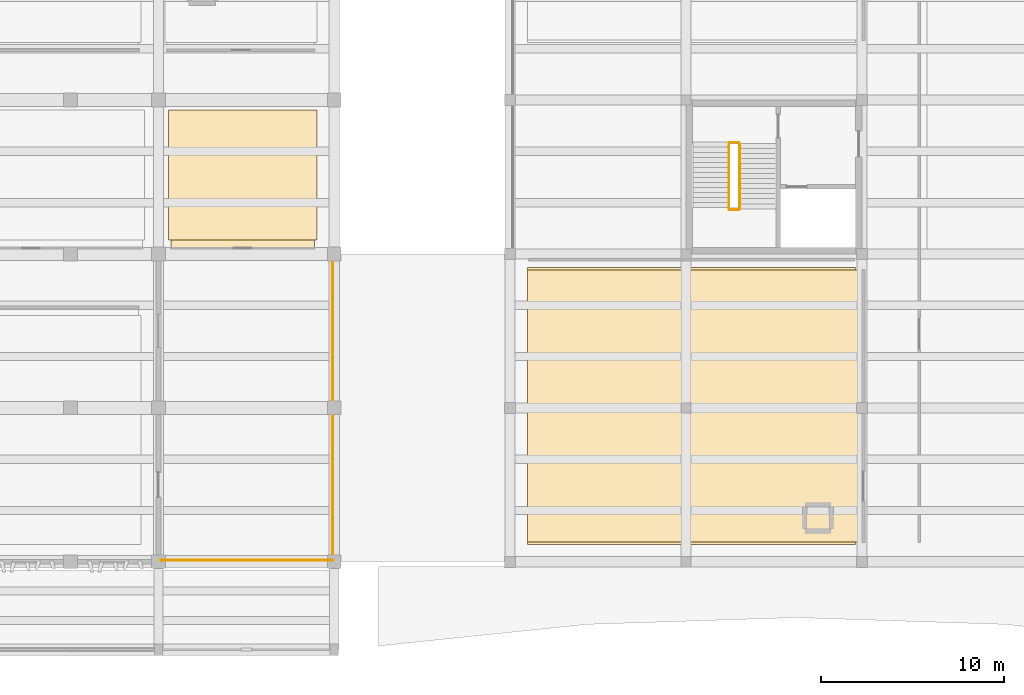
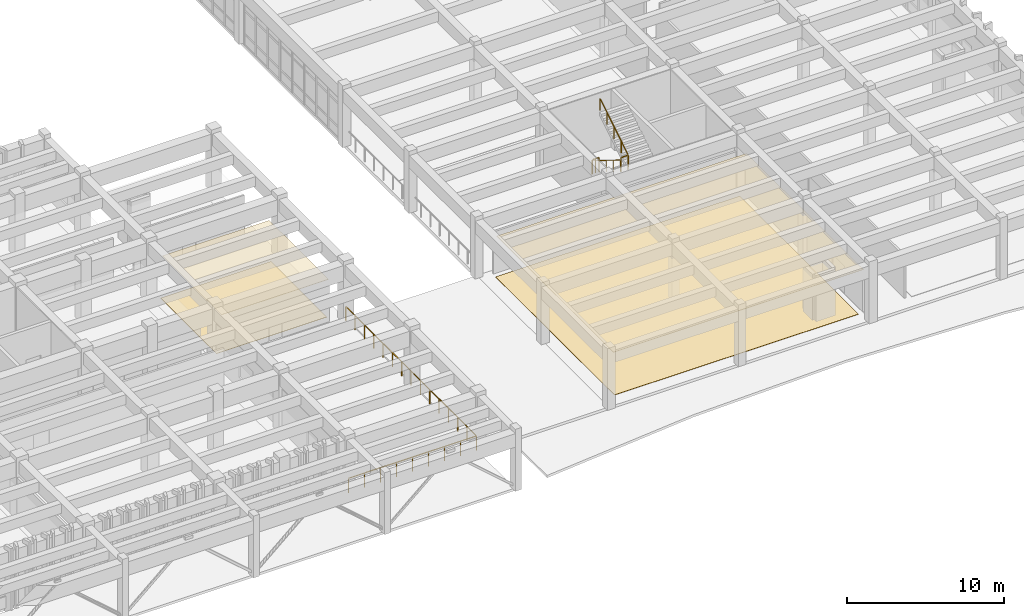
# One storey, part 83 of 86: 6 railings, 4 coverings.
"""IFC4 building model written with IfcOpenShell, lengths in metres."""

from ifc_helpers import new_model, si_unit, direction, frame, origin, origin_2d, place, context, subcontext, project, spatial, polyline, circle, outline, extrude, material, layer, layer_set, type_object, element, save


model = new_model("IFC4")

# Units and contexts
model_context = context("Model", 3, precision=1e-05, world=origin(), true_north=direction((0.0, 1.0)))
body_context = subcontext(model_context, "Body", "Model", "MODEL_VIEW")
ifc_project = project(units=[si_unit("LENGTHUNIT", "METRE"), si_unit("AREAUNIT", "SQUARE_METRE"), si_unit("VOLUMEUNIT", "CUBIC_METRE"), si_unit("PLANEANGLEUNIT", "RADIAN"), si_unit("MASSUNIT", "GRAM", prefix="KILO")], contexts=[model_context])

# Site, building, storey
site_placement = place(None, origin())
site = spatial("IfcSite", under=ifc_project, at=site_placement, CompositionType="ELEMENT")
building_placement = place(site_placement, origin())
building = spatial("IfcBuilding", under=site, at=building_placement, Name="Kolvemor Railside Polytechnic", CompositionType="ELEMENT")
storey_placement = place(building_placement, frame((0.0, 0.0, 5.39990234375)))
storey = spatial("IfcBuildingStorey", under=building, at=storey_placement, Name="L01", CompositionType="ELEMENT", Elevation=5.39990234375)

# Coverings
ifc_material_1 = material(Name="Perforated acoustic mineral-fibre and timber-slat ceiling", Category="wood")
ifc_layer_1 = layer(ifc_material_1, 0.030029296875, Name="COV-CEIL-2")
ifc_layer_set_1 = layer_set([ifc_layer_1], Name="Perforated acoustic mineral-fibre and timber-slat ceiling")
covering_type_1 = type_object("IfcCoveringType", Name="COV-CEIL-2", PredefinedType="CEILING", material=ifc_layer_set_1)
covering_1_placement = place(storey_placement, frame((0.0, 0.0, 3.22998046875)))
element("IfcCovering", 1, at=covering_1_placement, inside=storey, type_object=covering_type_1, Name="Main Stack Accessible WC L01 Acoustic Ceiling", PredefinedType="CEILING", context=body_context, shape_type="SweptSolid", body=[
    extrude(outline(polyline([(125.47998046875, 21.919921875), (133.320068359375, 21.919921875), (133.320068359375, 29.449951171875), (125.47998046875, 29.449951171875), (125.47998046875, 21.919921875)])), origin(), (0.0, 0.0, 1.0), 0.030029296875),
])
covering_2_placement = place(storey_placement, frame((0.0, 0.0, 3.22998046875)))
element("IfcCovering", 2, at=covering_2_placement, inside=storey, type_object=covering_type_1, Name="Student Union Mezzanine Gallery Acoustic Ceiling", PredefinedType="CEILING", context=body_context, shape_type="SweptSolid", body=[
    extrude(outline(polyline([(144.949951171875, 5.8798828125), (163.280029296875, 5.8798828125), (163.280029296875, 20.719970703125), (144.949951171875, 20.719970703125), (144.949951171875, 5.8798828125)])), origin(), (0.0, 0.0, 1.0), 0.030029296875),
])
ifc_material_2 = material(Name="Polished coral-aggregate terrazzo and laboratory epoxy flooring")
ifc_layer_2 = layer(ifc_material_2, 0.02490234375, Name="COV-FLR-2")
ifc_layer_set_2 = layer_set([ifc_layer_2], Name="Polished coral-aggregate terrazzo and laboratory epoxy flooring")
covering_type_2 = type_object("IfcCoveringType", Name="COV-FLR-2", PredefinedType="FLOORING", material=ifc_layer_set_2)
covering_3_placement = place(storey_placement, origin())
element("IfcCovering", 3, at=covering_3_placement, inside=storey, type_object=covering_type_2, Name="Main Stack Accessible WC L01 Floor Finish", PredefinedType="FLOORING", context=body_context, shape_type="SweptSolid", body=[
    extrude(outline(polyline([(125.35009765625, 22.35009765625), (133.449951171875, 22.35009765625), (133.449951171875, 29.449951171875), (125.35009765625, 29.449951171875), (125.35009765625, 22.35009765625)])), origin(), (0.0, 0.0, 1.0), 0.025146484375),
])
covering_4_placement = place(storey_placement, origin())
element("IfcCovering", 4, at=covering_4_placement, inside=storey, type_object=covering_type_2, Name="Student Union Mezzanine Gallery Floor Finish", PredefinedType="FLOORING", context=body_context, shape_type="SweptSolid", body=[
    extrude(outline(polyline([(144.949951171875, 5.75), (162.85009765625, 5.75), (162.85009765625, 20.85009765625), (144.949951171875, 20.85009765625), (144.949951171875, 5.75)])), origin(), (0.0, 0.0, 1.0), 0.025146484375),
])

# Railings
ifc_material_3 = material(Name="AISI 316 marine stainless-steel balustrade guard", Category="steel")
railing_type_1 = type_object("IfcRailingType", Name="RLG-GUARD-1120", PredefinedType="BALUSTRADE", material=ifc_material_3)
railing_1_placement = place(storey_placement, frame((124.93994140625, 4.8798828125, 0.0)))
element("IfcRailing", 5, at=railing_1_placement, inside=storey, type_object=railing_type_1, Name="Corner Study Terrace L01-SE S Guard GR-004", PredefinedType="BALUSTRADE", context=body_context, shape_type="SweptSolid", body=[
    extrude(circle(Radius=0.02392578125, at=origin_2d()), frame((0.054931640625, 0.0, 1.09619140625), z_axis=(1.0, 0.0, 0.0), x_axis=(0.0, 1.0, 0.0)), (0.0, 0.0, 1.0), 9.27001953125),
    extrude(circle(Radius=0.02099609375, at=origin_2d()), origin(), (0.0, 0.0, 1.0), 1.05712890625),
    extrude(circle(Radius=0.02099609375, at=origin_2d()), frame((1.172607421875, 0.0, 0.0)), (0.0, 0.0, 1.0), 1.05712890625),
    extrude(circle(Radius=0.02099609375, at=origin_2d()), frame((2.344970703125, 0.0, 0.0)), (0.0, 0.0, 1.0), 1.05712890625),
    extrude(circle(Radius=0.02099609375, at=origin_2d()), frame((3.517578125, 0.0, 0.0)), (0.0, 0.0, 1.0), 1.05712890625),
    extrude(circle(Radius=0.02099609375, at=origin_2d()), frame((4.68994140625, 0.0, 0.0)), (0.0, 0.0, 1.0), 1.05712890625),
    extrude(circle(Radius=0.02099609375, at=origin_2d()), frame((5.862548828125, 0.0, 0.0)), (0.0, 0.0, 1.0), 1.05712890625),
    extrude(circle(Radius=0.02099609375, at=origin_2d()), frame((7.03515625, 0.0, 0.0)), (0.0, 0.0, 1.0), 1.05712890625),
    extrude(circle(Radius=0.02099609375, at=origin_2d()), frame((8.20751953125, 0.0, 0.0)), (0.0, 0.0, 1.0), 1.05712890625),
    extrude(circle(Radius=0.02099609375, at=origin_2d()), frame((9.380126953125, 0.0, 0.0)), (0.0, 0.0, 1.0), 1.05712890625),
])
railing_2_placement = place(storey_placement, frame((134.320068359375, 4.8798828125, 0.0)))
element("IfcRailing", 6, at=railing_2_placement, inside=storey, type_object=railing_type_1, Name="Corner Study Terrace L01-SE E Guard GR-005", PredefinedType="BALUSTRADE", context=body_context, shape_type="SweptSolid", body=[
    extrude(circle(Radius=0.02392578125, at=origin_2d()), frame((0.0, 0.054931640625, 1.09619140625), z_axis=(0.0, 1.0, 0.0), x_axis=(-1.0, 0.0, 0.0)), (0.0, 0.0, 1.0), 16.469970703125),
    extrude(circle(Radius=0.02099609375, at=origin_2d()), origin(), (0.0, 0.0, 1.0), 1.05712890625),
    extrude(circle(Radius=0.02099609375, at=origin_2d()), frame((0.0, 1.184326171875, 0.0)), (0.0, 0.0, 1.0), 1.05712890625),
    extrude(circle(Radius=0.02099609375, at=origin_2d()), frame((0.0, 2.36865234375, 0.0)), (0.0, 0.0, 1.0), 1.05712890625),
    extrude(circle(Radius=0.02099609375, at=origin_2d()), frame((0.0, 3.552978515625, 0.0)), (0.0, 0.0, 1.0), 1.05712890625),
    extrude(circle(Radius=0.02099609375, at=origin_2d()), frame((0.0, 4.737060546875, 0.0)), (0.0, 0.0, 1.0), 1.05712890625),
    extrude(circle(Radius=0.02099609375, at=origin_2d()), frame((0.0, 5.92138671875, 0.0)), (0.0, 0.0, 1.0), 1.05712890625),
    extrude(circle(Radius=0.02099609375, at=origin_2d()), frame((0.0, 7.105712890625, 0.0)), (0.0, 0.0, 1.0), 1.05712890625),
    extrude(circle(Radius=0.02099609375, at=origin_2d()), frame((0.0, 8.2900390625, 0.0)), (0.0, 0.0, 1.0), 1.05712890625),
    extrude(circle(Radius=0.02099609375, at=origin_2d()), frame((0.0, 9.474365234375, 0.0)), (0.0, 0.0, 1.0), 1.05712890625),
    extrude(circle(Radius=0.02099609375, at=origin_2d()), frame((0.0, 10.65869140625, 0.0)), (0.0, 0.0, 1.0), 1.05712890625),
    extrude(circle(Radius=0.02099609375, at=origin_2d()), frame((0.0, 11.843017578125, 0.0)), (0.0, 0.0, 1.0), 1.05712890625),
    extrude(circle(Radius=0.02099609375, at=origin_2d()), frame((0.0, 13.027099609375, 0.0)), (0.0, 0.0, 1.0), 1.05712890625),
    extrude(circle(Radius=0.02099609375, at=origin_2d()), frame((0.0, 14.21142578125, 0.0)), (0.0, 0.0, 1.0), 1.05712890625),
    extrude(circle(Radius=0.02099609375, at=origin_2d()), frame((0.0, 15.395751953125, 0.0)), (0.0, 0.0, 1.0), 1.05712890625),
    extrude(circle(Radius=0.02099609375, at=origin_2d()), frame((0.0, 16.580078125, 0.0)), (0.0, 0.0, 1.0), 1.05712890625),
])
railing_3_placement = place(storey_placement, frame((155.97998046875, 27.679931640625, 0.0)))
element("IfcRailing", 7, at=railing_3_placement, inside=storey, type_object=railing_type_1, Name="ST-6 Floor Slot Guard L01", PredefinedType="BALUSTRADE", context=body_context, shape_type="SweptSolid", body=[
    extrude(circle(Radius=0.02392578125, at=origin_2d()), frame((0.054931640625, 0.0, 1.09619140625), z_axis=(1.0, 0.0, 0.0), x_axis=(0.0, 1.0, 0.0)), (0.0, 0.0, 1.0), 0.389892578125),
    extrude(circle(Radius=0.02099609375, at=origin_2d()), origin(), (0.0, 0.0, 1.0), 1.05712890625),
    extrude(circle(Radius=0.02099609375, at=origin_2d()), frame((0.25, 0.0, 0.0)), (0.0, 0.0, 1.0), 1.05712890625),
    extrude(circle(Radius=0.02099609375, at=origin_2d()), frame((0.5, 0.0, 0.0)), (0.0, 0.0, 1.0), 1.05712890625),
])
railing_4_placement = place(storey_placement, frame((155.97998046875, 24.0048828125, 2.400146484375)))
element("IfcRailing", 8, at=railing_4_placement, inside=storey, type_object=railing_type_1, Name="ST-6 Half-Landing Slot Guard L01", PredefinedType="BALUSTRADE", context=body_context, shape_type="SweptSolid", body=[
    extrude(circle(Radius=0.02392578125, at=origin_2d()), frame((0.054931640625, 0.0, 1.09619140625), z_axis=(1.0, 0.0, 0.0), x_axis=(0.0, 1.0, 0.0)), (0.0, 0.0, 1.0), 0.389892578125),
    extrude(circle(Radius=0.02099609375, at=origin_2d()), origin(), (0.0, 0.0, 1.0), 1.05712890625),
    extrude(circle(Radius=0.02099609375, at=origin_2d()), frame((0.5, 0.0, 0.0)), (0.0, 0.0, 1.0), 1.05712890625),
])
ifc_material_4 = material(Name="Brushed AISI 316 stainless-steel stair handrail", Category="steel")
railing_type_2 = type_object("IfcRailingType", Name="RLG-HANDRAIL-920", PredefinedType="HANDRAIL", material=ifc_material_4)
railing_5_placement = place(storey_placement, frame((155.93994140625, 27.6201171875, 0.171630859375)))
element("IfcRailing", 9, at=railing_5_placement, inside=storey, type_object=railing_type_2, Name="ST-6 Flight 1 Handrail L01", PredefinedType="HANDRAIL", context=body_context, shape_type="SweptSolid", body=[
    extrude(circle(Radius=0.02392578125, at=origin_2d()), frame((0.0, -0.046630859375, 0.925048828125), z_axis=(0.0, -0.848635802536, 0.528977574812), x_axis=(1.0, 0.0, 0.0)), (0.0, 0.0, 1.0), 4.102783203125),
    extrude(circle(Radius=0.02099609375, at=origin_2d()), origin(), (0.0, 0.0, 1.0), 0.85693359375),
    extrude(circle(Radius=0.02099609375, at=origin_2d()), frame((0.0, -0.893798828125, 0.55712890625)), (0.0, 0.0, 1.0), 0.85693359375),
    extrude(circle(Radius=0.02099609375, at=origin_2d()), frame((0.0, -1.78759765625, 1.1142578125)), (0.0, 0.0, 1.0), 0.85693359375),
    extrude(circle(Radius=0.02099609375, at=origin_2d()), frame((0.0, -2.681396484375, 1.67138671875)), (0.0, 0.0, 1.0), 0.85693359375),
    extrude(circle(Radius=0.02099609375, at=origin_2d()), frame((0.0, -3.5751953125, 2.228515625)), (0.0, 0.0, 1.0), 0.85693359375),
])
railing_6_placement = place(storey_placement, frame((156.52001953125, 24.044921875, 2.571533203125)))
element("IfcRailing", 10, at=railing_6_placement, inside=storey, type_object=railing_type_2, Name="ST-6 Flight 2 Handrail L01", PredefinedType="HANDRAIL", context=body_context, shape_type="SweptSolid", body=[
    extrude(circle(Radius=0.02392578125, at=origin_2d()), frame((0.0, 0.046630859375, 0.925048828125), z_axis=(0.0, 0.848635802536, 0.528977574812), x_axis=(-1.0, 0.0, 0.0)), (0.0, 0.0, 1.0), 4.102783203125),
    extrude(circle(Radius=0.02099609375, at=origin_2d()), origin(), (0.0, 0.0, 1.0), 0.85693359375),
    extrude(circle(Radius=0.02099609375, at=origin_2d()), frame((0.0, 0.893798828125, 0.55712890625)), (0.0, 0.0, 1.0), 0.85693359375),
    extrude(circle(Radius=0.02099609375, at=origin_2d()), frame((0.0, 1.78759765625, 1.1142578125)), (0.0, 0.0, 1.0), 0.85693359375),
    extrude(circle(Radius=0.02099609375, at=origin_2d()), frame((0.0, 2.681396484375, 1.67138671875)), (0.0, 0.0, 1.0), 0.85693359375),
    extrude(circle(Radius=0.02099609375, at=origin_2d()), frame((0.0, 3.5751953125, 2.228515625)), (0.0, 0.0, 1.0), 0.85693359375),
])

save(model, "model.ifc")
